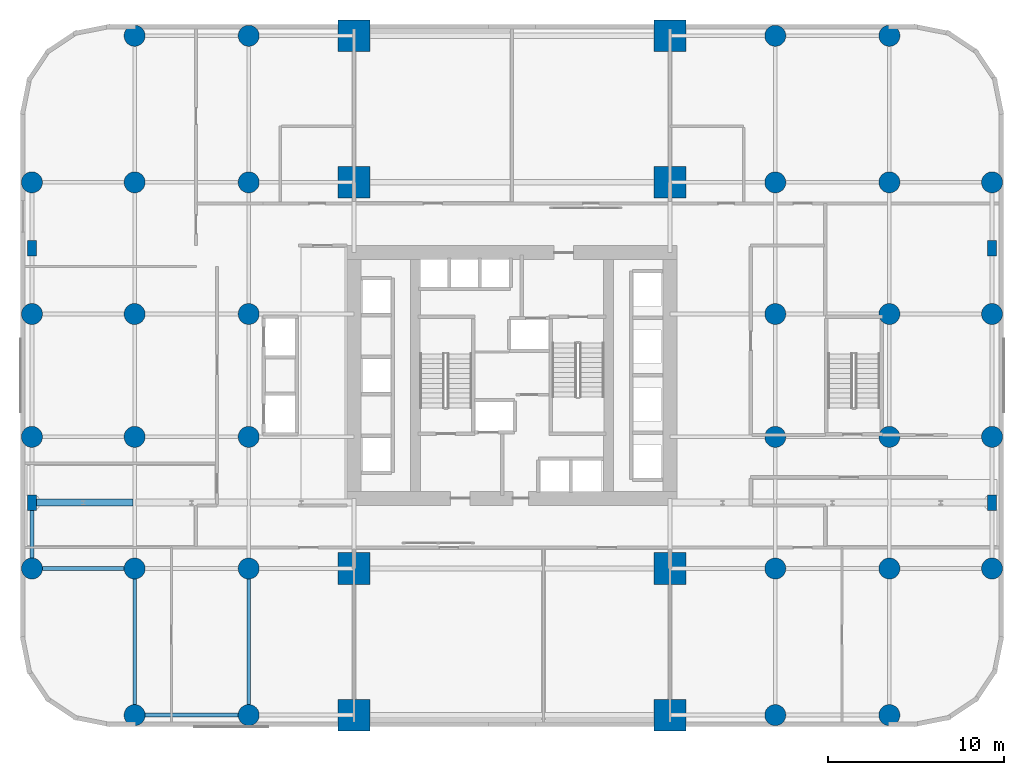
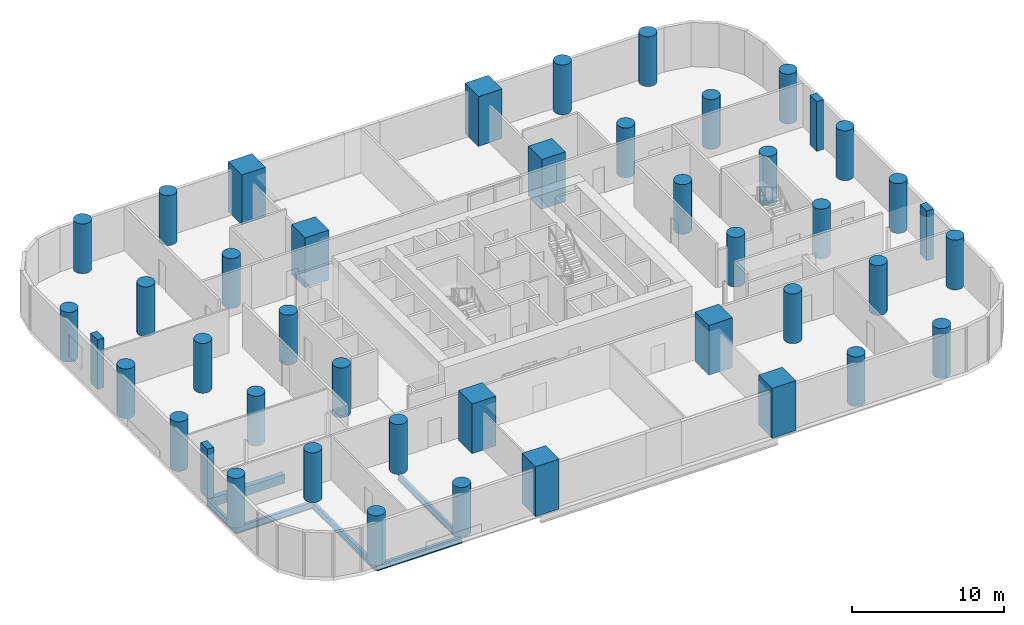
# One storey, part 1 of 15: 44 columns, 6 beams.
"""IFC4 building model written with IfcOpenShell, lengths in metres."""

from ifc_helpers import new_model, si_unit, direction, frame, origin, origin_2d, place, context, subcontext, project, spatial, rectangle, circle, i_section, extrude, material, material_profile, profile_set, type_object, element, save


model = new_model("IFC4")

# Units and contexts
model_context = context("Model", 3, precision=1e-05, world=origin(), true_north=direction((0.0, 1.0)))
body_context = subcontext(model_context, "Body", "Model", "MODEL_VIEW")
ifc_project = project(units=[si_unit("LENGTHUNIT", "METRE"), si_unit("AREAUNIT", "SQUARE_METRE"), si_unit("VOLUMEUNIT", "CUBIC_METRE"), si_unit("PLANEANGLEUNIT", "RADIAN"), si_unit("MASSUNIT", "GRAM", prefix="KILO")], contexts=[model_context])

# Site, building, storey
site_placement = place(None, origin())
site = spatial("IfcSite", under=ifc_project, at=site_placement, CompositionType="ELEMENT")
building_placement = place(site_placement, origin())
building = spatial("IfcBuilding", under=site, at=building_placement, Name="Veldorim Arch Residences", CompositionType="ELEMENT")
storey_placement = place(building_placement, frame((0.0, 0.0, 16.0)))
storey = spatial("IfcBuildingStorey", under=building, at=storey_placement, Name="L04", CompositionType="ELEMENT", Elevation=16.0)

# Columns
ifc_material_1 = material(Name="Concrete C60/75", Category="concrete")
ifc_material_profile_1 = material_profile(ifc_material_1, circle(Radius=0.60009765625, at=origin_2d()), Name="RC_CIRC_1200")
ifc_profile_set_1 = profile_set([ifc_material_profile_1], Name="Concrete C60/75")
column_type_1 = type_object("IfcColumnType", Name="Structural Column RC_CIRC_1200", PredefinedType="COLUMN", material=ifc_profile_set_1)
for number, where, z_axis, x_axis, name in (
    (1, (4.64990234375, 13.0, 0.0), (0.0, 0.0, 1.0), (1.0, 0.0, 0.0), "L04 podium column (4.65, 13.00)"),
    (2, (4.64990234375, 20.5, 0.0), (0.0, 0.0, 1.0), (1.0, 0.0, 0.0), "L04 podium column (4.65, 20.50)"),
    (3, (4.64990234375, 27.5, 0.0), (0.0, 0.0, 1.0), (1.0, 0.0, 0.0), "L04 podium column (4.65, 27.50)"),
    (4, (4.64990234375, 35.0, 0.0), (0.0, 0.0, 1.0), (1.0, 0.0, 0.0), "L04 podium column (4.65, 35.00)"),
    (5, (10.5, 4.64990234375, 0.0), (0.0, 0.0, 1.0), (1.0, 0.0, 0.0), "L04 podium column (10.50, 4.65)"),
    (6, (10.5, 13.0, 0.0), (0.0, 0.0, 1.0), (1.0, 0.0, 0.0), "L04 podium column (10.50, 13.00)"),
    (7, (10.5, 20.5, 0.0), (0.0, 0.0, 1.0), (1.0, 0.0, 0.0), "L04 podium column (10.50, 20.50)"),
    (8, (10.5, 27.5, 0.0), (0.0, 0.0, 1.0), (1.0, 0.0, 0.0), "L04 podium column (10.50, 27.50)"),
    (9, (10.5, 35.0, 0.0), (0.0, 0.0, 1.0), (1.0, 0.0, 0.0), "L04 podium column (10.50, 35.00)"),
    (10, (10.5, 43.35009765625, 0.0), (0.0, 0.0, 1.0), (1.0, 0.0, 0.0), "L04 podium column (10.50, 43.35)"),
    (11, (17.0, 4.64990234375, 0.0), (0.0, 0.0, 1.0), (1.0, 0.0, 0.0), "L04 podium column (17.00, 4.65)"),
    (12, (17.0, 13.0, 0.0), (0.0, 0.0, 1.0), (1.0, 0.0, 0.0), "L04 podium column (17.00, 13.00)"),
    (13, (17.0, 20.5, 0.0), (0.0, 0.0, 1.0), (1.0, 0.0, 0.0), "L04 podium column (17.00, 20.50)"),
    (14, (17.0, 27.5, 0.0), (0.0, 0.0, 1.0), (1.0, 0.0, 0.0), "L04 podium column (17.00, 27.50)"),
    (15, (17.0, 35.0, 0.0), (0.0, 0.0, 1.0), (1.0, 0.0, 0.0), "L04 podium column (17.00, 35.00)"),
    (16, (17.0, 43.35009765625, 0.0), (0.0, 0.0, 1.0), (1.0, 0.0, 0.0), "L04 podium column (17.00, 43.35)"),
    (17, (47.0, 4.64990234375, 0.0), (0.0, 0.0, 1.0), (1.0, 0.0, 0.0), "L04 podium column (47.00, 4.65)"),
    (18, (47.0, 13.0, 0.0), (0.0, 0.0, 1.0), (1.0, 0.0, 0.0), "L04 podium column (47.00, 13.00)"),
    (19, (47.0, 20.5, 0.0), (0.0, 0.0, 1.0), (1.0, 0.0, 0.0), "L04 podium column (47.00, 20.50)"),
    (20, (47.0, 27.5, 0.0), (0.0, 0.0, 1.0), (1.0, 0.0, 0.0), "L04 podium column (47.00, 27.50)"),
    (21, (47.0, 35.0, 0.0), (0.0, 0.0, 1.0), (1.0, 0.0, 0.0), "L04 podium column (47.00, 35.00)"),
    (22, (47.0, 43.35009765625, 0.0), (0.0, 0.0, 1.0), (1.0, 0.0, 0.0), "L04 podium column (47.00, 43.35)"),
    (23, (53.5, 4.64990234375, 0.0), (0.0, 0.0, 1.0), (1.0, 0.0, 0.0), "L04 podium column (53.50, 4.65)"),
    (24, (53.5, 13.0, 0.0), (0.0, 0.0, 1.0), (1.0, 0.0, 0.0), "L04 podium column (53.50, 13.00)"),
    (25, (53.5, 20.5, 0.0), (0.0, 0.0, 1.0), (1.0, 0.0, 0.0), "L04 podium column (53.50, 20.50)"),
    (26, (53.5, 27.5, 0.0), (0.0, 0.0, 1.0), (1.0, 0.0, 0.0), "L04 podium column (53.50, 27.50)"),
    (27, (53.5, 35.0, 0.0), (0.0, 0.0, 1.0), (1.0, 0.0, 0.0), "L04 podium column (53.50, 35.00)"),
    (28, (53.5, 43.35009765625, 0.0), (0.0, 0.0, 1.0), (1.0, 0.0, 0.0), "L04 podium column (53.50, 43.35)"),
    (29, (59.35009765625, 13.0, 0.0), (0.0, 0.0, 1.0), (1.0, 0.0, 0.0), "L04 podium column (59.35, 13.00)"),
    (30, (59.35009765625, 20.5, 0.0), (0.0, 0.0, 1.0), (1.0, 0.0, 0.0), "L04 podium column (59.35, 20.50)"),
    (31, (59.35009765625, 27.5, 0.0), (0.0, 0.0, 1.0), (1.0, 0.0, 0.0), "L04 podium column (59.35, 27.50)"),
    (32, (59.35009765625, 35.0, 0.0), (0.0, 0.0, 1.0), (1.0, 0.0, 0.0), "L04 podium column (59.35, 35.00)"),
):
    element("IfcColumn", number, at=place(storey_placement, frame(where, z_axis=z_axis, x_axis=x_axis)), inside=storey, type_object=column_type_1, Name=name, PredefinedType="COLUMN", context=body_context, shape_type="SweptSolid", body=[
        extrude(circle(Radius=0.60009765625, at=origin_2d()), origin(), (0.0, 0.0, 1.0), 4.0),
    ])
ifc_material_2 = material(Name="Concrete C60/75", Category="concrete")
ifc_material_profile_2 = material_profile(ifc_material_2, rectangle(XDim=1.800048828125, YDim=1.800048828125, at=origin_2d()), Name="RC_RECT_1800x1800")
ifc_profile_set_2 = profile_set([ifc_material_profile_2], Name="Concrete C60/75")
column_type_2 = type_object("IfcColumnType", Name="Structural Column RC_RECT_1800x1800", PredefinedType="COLUMN", material=ifc_profile_set_2)
for number, where, z_axis, x_axis, name in (
    (33, (23.0, 4.64990234375, 0.0), (0.0, 0.0, 1.0), (1.0, 0.0, 0.0), "L04 arch mega-pier (23.00, 4.65)"),
    (34, (23.0, 13.0, 0.0), (0.0, 0.0, 1.0), (1.0, 0.0, 0.0), "L04 arch mega-pier (23.00, 13.00)"),
    (35, (23.0, 35.0, 0.0), (0.0, 0.0, 1.0), (1.0, 0.0, 0.0), "L04 arch mega-pier (23.00, 35.00)"),
    (36, (23.0, 43.35009765625, 0.0), (0.0, 0.0, 1.0), (1.0, 0.0, 0.0), "L04 arch mega-pier (23.00, 43.35)"),
    (37, (41.0, 4.64990234375, 0.0), (0.0, 0.0, 1.0), (1.0, 0.0, 0.0), "L04 arch mega-pier (41.00, 4.65)"),
    (38, (41.0, 13.0, 0.0), (0.0, 0.0, 1.0), (1.0, 0.0, 0.0), "L04 arch mega-pier (41.00, 13.00)"),
    (39, (41.0, 35.0, 0.0), (0.0, 0.0, 1.0), (1.0, 0.0, 0.0), "L04 arch mega-pier (41.00, 35.00)"),
    (40, (41.0, 43.35009765625, 0.0), (0.0, 0.0, 1.0), (1.0, 0.0, 0.0), "L04 arch mega-pier (41.00, 43.35)"),
):
    element("IfcColumn", number, at=place(storey_placement, frame(where, z_axis=z_axis, x_axis=x_axis)), inside=storey, type_object=column_type_2, Name=name, PredefinedType="COLUMN", context=body_context, shape_type="SweptSolid", body=[
        extrude(rectangle(XDim=1.800048828125, YDim=1.800048828125, at=origin_2d()), origin(), (0.0, 0.0, 1.0), 4.0),
    ])
ifc_material_3 = material(Name="Concrete C60/75", Category="concrete")
ifc_material_profile_3 = material_profile(ifc_material_3, rectangle(XDim=0.5, YDim=0.89990234375, at=origin_2d()), Name="RC_RECT_500x900")
ifc_profile_set_3 = profile_set([ifc_material_profile_3], Name="Concrete C60/75")
column_type_3 = type_object("IfcColumnType", Name="Structural Pilaster RC_RECT_500x900", PredefinedType="PILASTER", material=ifc_profile_set_3)
for number, where, z_axis, x_axis, name in (
    (41, (4.64990234375, 16.75, 0.0), (0.0, 0.0, 1.0), (1.0, 0.0, 0.0), "L04 facade structural pilaster (4.65, 16.75)"),
    (42, (4.64990234375, 31.25, 0.0), (0.0, 0.0, 1.0), (1.0, 0.0, 0.0), "L04 facade structural pilaster (4.65, 31.25)"),
    (43, (59.35009765625, 16.75, 0.0), (0.0, 0.0, 1.0), (1.0, 0.0, 0.0), "L04 facade structural pilaster (59.35, 16.75)"),
    (44, (59.35009765625, 31.25, 0.0), (0.0, 0.0, 1.0), (1.0, 0.0, 0.0), "L04 facade structural pilaster (59.35, 31.25)"),
):
    element("IfcColumn", number, at=place(storey_placement, frame(where, z_axis=z_axis, x_axis=x_axis)), inside=storey, type_object=column_type_3, Name=name, PredefinedType="PILASTER", context=body_context, shape_type="SweptSolid", body=[
        extrude(rectangle(XDim=0.5, YDim=0.89990234375, at=origin_2d()), origin(), (0.0, 0.0, 1.0), 4.0),
    ])

# Beams
ifc_material_4 = material(Name="Concrete C50/60", Category="concrete")
ifc_material_profile_4 = material_profile(ifc_material_4, rectangle(XDim=0.39990234375, YDim=0.699951171875, at=origin_2d()), Name="RC_RECT_400x700")
ifc_profile_set_4 = profile_set([ifc_material_profile_4], Name="Concrete C50/60")
beam_type_1 = type_object("IfcBeamType", Name="Reinforced Concrete Lintel RC_RECT_400x700", PredefinedType="LINTEL", material=ifc_profile_set_4)
beam_1_placement = place(storey_placement, frame((4.72998046875, 16.75, -0.6298828125), z_axis=(1.0, 0.0, 0.0), x_axis=(0.0, 1.0, 0.0)))
element("IfcBeam", 45, at=beam_1_placement, inside=storey, type_object=beam_type_1, Name="L04 clinic opening structural lintel 01", PredefinedType="LINTEL", context=body_context, shape_type="SweptSolid", body=[
    extrude(rectangle(XDim=0.39990234375, YDim=0.699951171875, at=origin_2d()), origin(), (0.0, 0.0, 1.0), 5.68994140625),
])
ifc_material_5 = material(Name="Steel S355", Category="steel")
ifc_material_profile_5 = material_profile(ifc_material_5, i_section(OverallWidth=0.2099609375, OverallDepth=0.53662109375, WebThickness=0.0107421875, FlangeThickness=0.017333984375, at=origin_2d()), Name="UB533x210x101")
ifc_profile_set_5 = profile_set([ifc_material_profile_5], Name="Steel S355")
beam_type_2 = type_object("IfcBeamType", Name="Structural Steel Beam UB533x210x101", PredefinedType="BEAM", material=ifc_profile_set_5)
beam_2_placement = place(storey_placement, frame((4.64990234375, 13.0, -0.54833984375), z_axis=(0.0, 1.0, 0.0), x_axis=(-1.0, 0.0, 0.0)))
element("IfcBeam", 46, at=beam_2_placement, inside=storey, type_object=beam_type_2, Name="L04 north-south floor beam (X=4.7, 13.0-16.8)", PredefinedType="BEAM", context=body_context, shape_type="SweptSolid", body=[
    extrude(i_section(OverallWidth=0.2099609375, OverallDepth=0.53662109375, WebThickness=0.0107421875, FlangeThickness=0.017333984375, at=origin_2d()), origin(), (0.0, 0.0, 1.0), 3.75),
])
for number, where, z_axis, x_axis, name in (
    (47, (10.5, 4.64990234375, -0.54833984375), (0.0, 1.0, 0.0), (-1.0, 0.0, 0.0), "L04 north-south floor beam (X=10.5, 4.7-13.0)"),
    (48, (17.0, 4.64990234375, -0.54833984375), (0.0, 1.0, 0.0), (-1.0, 0.0, 0.0), "L04 north-south floor beam (X=17.0, 4.7-13.0)"),
):
    element("IfcBeam", number, at=place(storey_placement, frame(where, z_axis=z_axis, x_axis=x_axis)), inside=storey, type_object=beam_type_2, Name=name, PredefinedType="BEAM", context=body_context, shape_type="SweptSolid", body=[
        extrude(i_section(OverallWidth=0.2099609375, OverallDepth=0.53662109375, WebThickness=0.0107421875, FlangeThickness=0.017333984375, at=origin_2d()), origin(), (0.0, 0.0, 1.0), 8.35009765625),
    ])
ifc_material_6 = material(Name="Steel S355", Category="steel")
ifc_material_profile_6 = material_profile(ifc_material_6, i_section(OverallWidth=0.2119140625, OverallDepth=0.54443359375, WebThickness=0.0126953125, FlangeThickness=0.021240234375, at=origin_2d()), Name="UB533x210x122")
ifc_profile_set_6 = profile_set([ifc_material_profile_6], Name="Steel S355")
beam_type_3 = type_object("IfcBeamType", Name="Structural Steel Beam UB533x210x122", PredefinedType="BEAM", material=ifc_profile_set_6)
beam_3_placement = place(storey_placement, frame((10.5, 4.64990234375, -0.55224609375), z_axis=(1.0, 0.0, 0.0), x_axis=(0.0, 1.0, 0.0)))
element("IfcBeam", 49, at=beam_3_placement, inside=storey, type_object=beam_type_3, Name="L04 east-west floor beam (10.5-17.0, Y=4.7)", PredefinedType="BEAM", context=body_context, shape_type="SweptSolid", body=[
    extrude(i_section(OverallWidth=0.2119140625, OverallDepth=0.54443359375, WebThickness=0.0126953125, FlangeThickness=0.021240234375, at=origin_2d()), origin(), (0.0, 0.0, 1.0), 6.5),
])
beam_4_placement = place(storey_placement, frame((4.64990234375, 13.0, -0.55224609375), z_axis=(1.0, 0.0, 0.0), x_axis=(0.0, 1.0, 0.0)))
element("IfcBeam", 50, at=beam_4_placement, inside=storey, type_object=beam_type_3, Name="L04 east-west floor beam (4.7-10.5, Y=13.0)", PredefinedType="BEAM", context=body_context, shape_type="SweptSolid", body=[
    extrude(i_section(OverallWidth=0.2119140625, OverallDepth=0.54443359375, WebThickness=0.0126953125, FlangeThickness=0.021240234375, at=origin_2d()), origin(), (0.0, 0.0, 1.0), 5.85009765625),
])

save(model, "model.ifc")
